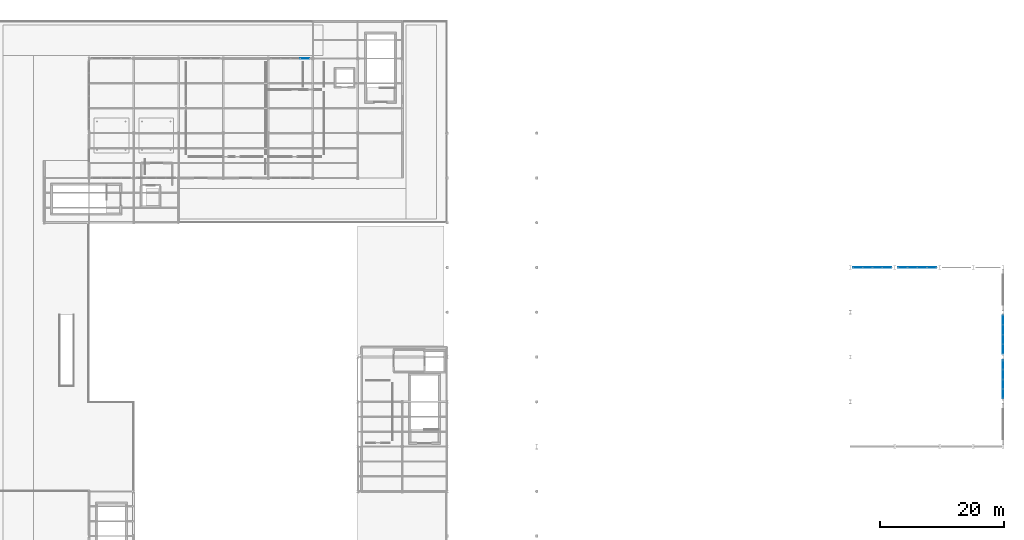
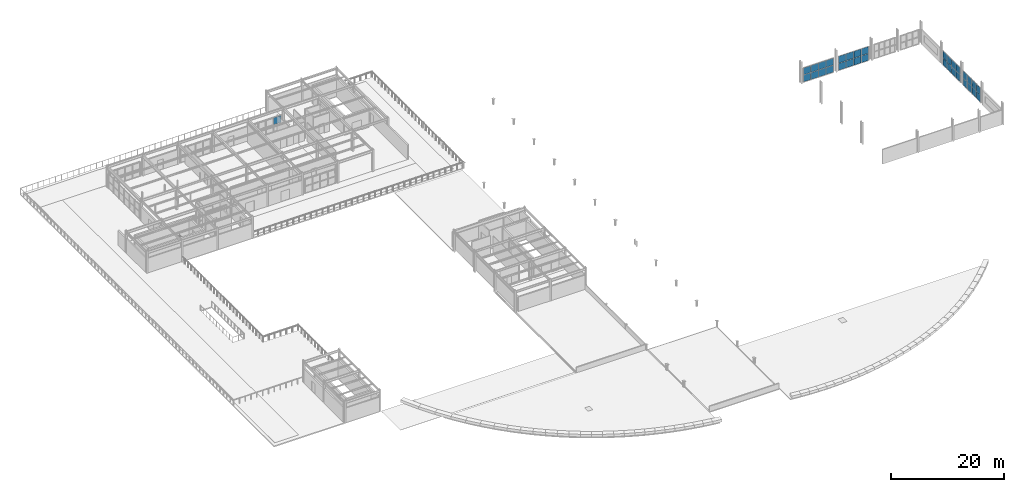
# One storey, part 30 of 41: 33 plates, 5 elements without a shape of their own.
"""IFC4 building model written with IfcOpenShell, lengths in metres."""

from ifc_helpers import new_model, si_unit, direction, frame, origin, origin_2d, place, context, subcontext, project, spatial, rectangle, extrude, material, layer, layer_set, type_object, element, aggregate, save


model = new_model("IFC4")

# Units and contexts
model_context = context("Model", 3, precision=1e-05, world=origin(), true_north=direction((0.0, 1.0)))
body_context = subcontext(model_context, "Body", "Model", "MODEL_VIEW")
ifc_project = project(units=[si_unit("LENGTHUNIT", "METRE"), si_unit("AREAUNIT", "SQUARE_METRE"), si_unit("VOLUMEUNIT", "CUBIC_METRE"), si_unit("PLANEANGLEUNIT", "RADIAN"), si_unit("MASSUNIT", "GRAM", prefix="KILO")], contexts=[model_context])

# Site, building, storey
site_placement = place(None, origin())
site = spatial("IfcSite", under=ifc_project, at=site_placement, CompositionType="ELEMENT")
building_placement = place(site_placement, origin())
building = spatial("IfcBuilding", under=site, at=building_placement, Name="Solvadek Multi-Sports Hall", CompositionType="ELEMENT")
storey_placement = place(building_placement, frame((0.0, 0.0, 14.39990234375)))
storey = spatial("IfcBuildingStorey", under=building, at=storey_placement, Name="L03", CompositionType="ELEMENT", Elevation=14.39990234375)

# Curtain wall, plate
ifc_material_1 = material(Name="Anodised aluminium", Category="aluminium")
ifc_layer_1 = layer(ifc_material_1, 0.159912109375, Name="Anodised aluminium")
ifc_layer_set_1 = layer_set([ifc_layer_1], Name="Anodised aluminium")
curtain_wall_type = type_object("IfcCurtainWallType", Name="ENV-CW-624X315", PredefinedType="USERDEFINED", material=ifc_layer_set_1)
curtain_wall_1_placement = place(storey_placement, origin())
curtain_wall_1 = element("IfcCurtainWall", 1, at=curtain_wall_1_placement, inside=storey, type_object=curtain_wall_type, Name="L03 Perimeter Bay Curtain Wall #208", ObjectType="CURTAIN WALL", PredefinedType="USERDEFINED")
ifc_material_2 = material(Name="Tempered laminated low-E glass", Category="glass")
ifc_layer_2 = layer(ifc_material_2, 0.02392578125, Name="Tempered laminated low-E glass")
ifc_layer_set_2 = layer_set([ifc_layer_2], Name="Tempered laminated low-E glass")
plate_type_1 = type_object("IfcPlateType", Name="ENV-CWP-01", PredefinedType="CURTAIN_PANEL", material=ifc_layer_set_2)
plate_1_placement = place(storey_placement, frame((49.125, 104.39990234375, 1.607666015625), z_axis=(0.0, 0.0, 1.0), x_axis=(1.0, 0.0, 0.0)))
plate_1 = element("IfcPlate", 2, at=plate_1_placement, type_object=plate_type_1, Name="CW-44 panel 4.2", PredefinedType="CURTAIN_PANEL", context=body_context, shape_type="SweptSolid", body=[
    extrude(rectangle(XDim=1.469970703125, YDim=0.02392578125, at=origin_2d()), origin(), (0.0, 0.0, 1.0), 1.4775390625),
])
aggregate(curtain_wall_1, [plate_1])

# Curtain wall, plates
curtain_wall_2_placement = place(storey_placement, origin())
curtain_wall_2 = element("IfcCurtainWall", 3, at=curtain_wall_2_placement, inside=storey, type_object=curtain_wall_type, Name="L03 Perimeter Bay Curtain Wall #132", ObjectType="CURTAIN WALL", PredefinedType="USERDEFINED")
ifc_layer_3 = layer(ifc_material_2, 0.031982421875, Name="Tempered laminated low-E glass")
ifc_layer_set_3 = layer_set([ifc_layer_3], Name="Tempered laminated low-E glass")
plate_type_2 = type_object("IfcPlateType", Name="ENV-CWP-03", PredefinedType="CURTAIN_PANEL", material=ifc_layer_set_3)
plate_2_placement = place(storey_placement, frame((138.076171875, 70.800048828125, 0.065185546875), z_axis=(0.0, 0.0, 1.0), x_axis=(1.0, 0.0, 0.0)))
plate_2 = element("IfcPlate", 4, at=plate_2_placement, type_object=plate_type_2, Name="CW-44 panel 1.1", PredefinedType="CURTAIN_PANEL", context=body_context, shape_type="SweptSolid", body=[
    extrude(rectangle(XDim=1.46240234375, YDim=0.031982421875, at=origin_2d()), origin(), (0.0, 0.0, 1.0), 1.4775390625),
])
plate_3_placement = place(storey_placement, frame((138.076171875, 70.800048828125, 1.607666015625), z_axis=(0.0, 0.0, 1.0), x_axis=(1.0, 0.0, 0.0)))
plate_3 = element("IfcPlate", 5, at=plate_3_placement, type_object=plate_type_2, Name="CW-44 panel 1.2", PredefinedType="CURTAIN_PANEL", context=body_context, shape_type="SweptSolid", body=[
    extrude(rectangle(XDim=1.46240234375, YDim=0.031982421875, at=origin_2d()), origin(), (0.0, 0.0, 1.0), 1.4775390625),
])
plate_4_placement = place(storey_placement, frame((139.6201171875, 70.800048828125, 0.065185546875), z_axis=(0.0, 0.0, 1.0), x_axis=(1.0, 0.0, 0.0)))
plate_4 = element("IfcPlate", 6, at=plate_4_placement, type_object=plate_type_2, Name="CW-44 panel 2.1", PredefinedType="CURTAIN_PANEL", context=body_context, shape_type="SweptSolid", body=[
    extrude(rectangle(XDim=1.4951171875, YDim=0.031982421875, at=origin_2d()), origin(), (0.0, 0.0, 1.0), 1.4775390625),
])
plate_5_placement = place(storey_placement, frame((139.6201171875, 70.800048828125, 1.607666015625), z_axis=(0.0, 0.0, 1.0), x_axis=(1.0, 0.0, 0.0)))
plate_5 = element("IfcPlate", 7, at=plate_5_placement, type_object=plate_type_2, Name="CW-44 panel 2.2", PredefinedType="CURTAIN_PANEL", context=body_context, shape_type="SweptSolid", body=[
    extrude(rectangle(XDim=1.4951171875, YDim=0.031982421875, at=origin_2d()), origin(), (0.0, 0.0, 1.0), 1.4775390625),
])
plate_6_placement = place(storey_placement, frame((141.179931640625, 70.800048828125, 0.065185546875), z_axis=(0.0, 0.0, 1.0), x_axis=(1.0, 0.0, 0.0)))
plate_6 = element("IfcPlate", 8, at=plate_6_placement, type_object=plate_type_2, Name="CW-44 panel 3.1", PredefinedType="CURTAIN_PANEL", context=body_context, shape_type="SweptSolid", body=[
    extrude(rectangle(XDim=1.4951171875, YDim=0.031982421875, at=origin_2d()), origin(), (0.0, 0.0, 1.0), 1.4775390625),
])
plate_7_placement = place(storey_placement, frame((141.179931640625, 70.800048828125, 1.607666015625), z_axis=(0.0, 0.0, 1.0), x_axis=(1.0, 0.0, 0.0)))
plate_7 = element("IfcPlate", 9, at=plate_7_placement, type_object=plate_type_2, Name="CW-44 panel 3.2", PredefinedType="CURTAIN_PANEL", context=body_context, shape_type="SweptSolid", body=[
    extrude(rectangle(XDim=1.4951171875, YDim=0.031982421875, at=origin_2d()), origin(), (0.0, 0.0, 1.0), 1.4775390625),
])
plate_8_placement = place(storey_placement, frame((142.7236328125, 70.800048828125, 0.065185546875), z_axis=(0.0, 0.0, 1.0), x_axis=(1.0, 0.0, 0.0)))
plate_8 = element("IfcPlate", 10, at=plate_8_placement, type_object=plate_type_2, Name="CW-44 panel 4.1", PredefinedType="CURTAIN_PANEL", context=body_context, shape_type="SweptSolid", body=[
    extrude(rectangle(XDim=1.46240234375, YDim=0.031982421875, at=origin_2d()), origin(), (0.0, 0.0, 1.0), 1.4775390625),
])
plate_9_placement = place(storey_placement, frame((142.7236328125, 70.800048828125, 1.607666015625), z_axis=(0.0, 0.0, 1.0), x_axis=(1.0, 0.0, 0.0)))
plate_9 = element("IfcPlate", 11, at=plate_9_placement, type_object=plate_type_2, Name="CW-44 panel 4.2", PredefinedType="CURTAIN_PANEL", context=body_context, shape_type="SweptSolid", body=[
    extrude(rectangle(XDim=1.46240234375, YDim=0.031982421875, at=origin_2d()), origin(), (0.0, 0.0, 1.0), 1.4775390625),
])
aggregate(curtain_wall_2, [plate_2, plate_3, plate_4, plate_5, plate_6, plate_7, plate_8, plate_9])

curtain_wall_3_placement = place(storey_placement, origin())
curtain_wall_3 = element("IfcCurtainWall", 12, at=curtain_wall_3_placement, inside=storey, type_object=curtain_wall_type, Name="L03 Perimeter Bay Curtain Wall #135", ObjectType="CURTAIN WALL", PredefinedType="USERDEFINED")
ifc_layer_4 = layer(ifc_material_2, 0.035888671875, Name="Tempered laminated low-E glass")
ifc_layer_set_4 = layer_set([ifc_layer_4], Name="Tempered laminated low-E glass")
plate_type_3 = type_object("IfcPlateType", Name="ENV-CWP-04", PredefinedType="CURTAIN_PANEL", material=ifc_layer_set_4)
plate_10_placement = place(storey_placement, frame((145.2763671875, 70.800048828125, 0.065185546875), z_axis=(0.0, 0.0, 1.0), x_axis=(1.0, 0.0, 0.0)))
plate_10 = element("IfcPlate", 13, at=plate_10_placement, type_object=plate_type_3, Name="CW-44 panel 1.1", PredefinedType="CURTAIN_PANEL", context=body_context, shape_type="SweptSolid", body=[
    extrude(rectangle(XDim=1.46240234375, YDim=0.035888671875, at=origin_2d()), origin(), (0.0, 0.0, 1.0), 1.4775390625),
])
plate_11_placement = place(storey_placement, frame((145.2763671875, 70.800048828125, 1.607666015625), z_axis=(0.0, 0.0, 1.0), x_axis=(1.0, 0.0, 0.0)))
plate_11 = element("IfcPlate", 14, at=plate_11_placement, type_object=plate_type_3, Name="CW-44 panel 1.2", PredefinedType="CURTAIN_PANEL", context=body_context, shape_type="SweptSolid", body=[
    extrude(rectangle(XDim=1.46240234375, YDim=0.035888671875, at=origin_2d()), origin(), (0.0, 0.0, 1.0), 1.4775390625),
])
plate_12_placement = place(storey_placement, frame((146.820068359375, 70.800048828125, 0.065185546875), z_axis=(0.0, 0.0, 1.0), x_axis=(1.0, 0.0, 0.0)))
plate_12 = element("IfcPlate", 15, at=plate_12_placement, type_object=plate_type_3, Name="CW-44 panel 2.1", PredefinedType="CURTAIN_PANEL", context=body_context, shape_type="SweptSolid", body=[
    extrude(rectangle(XDim=1.4951171875, YDim=0.035888671875, at=origin_2d()), origin(), (0.0, 0.0, 1.0), 1.4775390625),
])
plate_13_placement = place(storey_placement, frame((146.820068359375, 70.800048828125, 1.607666015625), z_axis=(0.0, 0.0, 1.0), x_axis=(1.0, 0.0, 0.0)))
plate_13 = element("IfcPlate", 16, at=plate_13_placement, type_object=plate_type_3, Name="CW-44 panel 2.2", PredefinedType="CURTAIN_PANEL", context=body_context, shape_type="SweptSolid", body=[
    extrude(rectangle(XDim=1.4951171875, YDim=0.035888671875, at=origin_2d()), origin(), (0.0, 0.0, 1.0), 1.4775390625),
])
plate_14_placement = place(storey_placement, frame((148.3798828125, 70.800048828125, 0.065185546875), z_axis=(0.0, 0.0, 1.0), x_axis=(1.0, 0.0, 0.0)))
plate_14 = element("IfcPlate", 17, at=plate_14_placement, type_object=plate_type_3, Name="CW-44 panel 3.1", PredefinedType="CURTAIN_PANEL", context=body_context, shape_type="SweptSolid", body=[
    extrude(rectangle(XDim=1.4951171875, YDim=0.035888671875, at=origin_2d()), origin(), (0.0, 0.0, 1.0), 1.4775390625),
])
plate_15_placement = place(storey_placement, frame((148.3798828125, 70.800048828125, 1.607666015625), z_axis=(0.0, 0.0, 1.0), x_axis=(1.0, 0.0, 0.0)))
plate_15 = element("IfcPlate", 18, at=plate_15_placement, type_object=plate_type_3, Name="CW-44 panel 3.2", PredefinedType="CURTAIN_PANEL", context=body_context, shape_type="SweptSolid", body=[
    extrude(rectangle(XDim=1.4951171875, YDim=0.035888671875, at=origin_2d()), origin(), (0.0, 0.0, 1.0), 1.4775390625),
])
plate_16_placement = place(storey_placement, frame((149.923828125, 70.800048828125, 0.065185546875), z_axis=(0.0, 0.0, 1.0), x_axis=(1.0, 0.0, 0.0)))
plate_16 = element("IfcPlate", 19, at=plate_16_placement, type_object=plate_type_3, Name="CW-44 panel 4.1", PredefinedType="CURTAIN_PANEL", context=body_context, shape_type="SweptSolid", body=[
    extrude(rectangle(XDim=1.46240234375, YDim=0.035888671875, at=origin_2d()), origin(), (0.0, 0.0, 1.0), 1.4775390625),
])
plate_17_placement = place(storey_placement, frame((149.923828125, 70.800048828125, 1.607666015625), z_axis=(0.0, 0.0, 1.0), x_axis=(1.0, 0.0, 0.0)))
plate_17 = element("IfcPlate", 20, at=plate_17_placement, type_object=plate_type_3, Name="CW-44 panel 4.2", PredefinedType="CURTAIN_PANEL", context=body_context, shape_type="SweptSolid", body=[
    extrude(rectangle(XDim=1.46240234375, YDim=0.035888671875, at=origin_2d()), origin(), (0.0, 0.0, 1.0), 1.4775390625),
])
aggregate(curtain_wall_3, [plate_10, plate_11, plate_12, plate_13, plate_14, plate_15, plate_16, plate_17])

curtain_wall_4_placement = place(storey_placement, origin())
curtain_wall_4 = element("IfcCurtainWall", 21, at=curtain_wall_4_placement, inside=storey, type_object=curtain_wall_type, Name="L03 Perimeter Bay Curtain Wall #147", ObjectType="CURTAIN WALL", PredefinedType="USERDEFINED")
ifc_layer_5 = layer(ifc_material_2, 0.0419921875, Name="Tempered laminated low-E glass")
ifc_layer_set_5 = layer_set([ifc_layer_5], Name="Tempered laminated low-E glass")
plate_type_4 = type_object("IfcPlateType", Name="ENV-CWP-05", PredefinedType="CURTAIN_PANEL", material=ifc_layer_set_5)
plate_18_placement = place(storey_placement, frame((161.39990234375, 50.4775390625, 0.06005859375), z_axis=(0.0, 0.0, 1.0), x_axis=(0.0, 1.0, 0.0)))
plate_18 = element("IfcPlate", 22, at=plate_18_placement, type_object=plate_type_4, Name="CW-44 panel 1.1", PredefinedType="CURTAIN_PANEL", context=body_context, shape_type="SweptSolid", body=[
    extrude(rectangle(XDim=1.455078125, YDim=0.0419921875, at=origin_2d()), origin(), (0.0, 0.0, 1.0), 1.485107421875),
])
plate_19_placement = place(storey_placement, frame((161.39990234375, 50.4775390625, 1.60498046875), z_axis=(0.0, 0.0, 1.0), x_axis=(0.0, 1.0, 0.0)))
plate_19 = element("IfcPlate", 23, at=plate_19_placement, type_object=plate_type_4, Name="CW-44 panel 1.2", PredefinedType="CURTAIN_PANEL", context=body_context, shape_type="SweptSolid", body=[
    extrude(rectangle(XDim=1.455078125, YDim=0.0419921875, at=origin_2d()), origin(), (0.0, 0.0, 1.0), 1.485107421875),
])
plate_20_placement = place(storey_placement, frame((161.39990234375, 52.02001953125, 0.06005859375), z_axis=(0.0, 0.0, 1.0), x_axis=(0.0, 1.0, 0.0)))
plate_20 = element("IfcPlate", 24, at=plate_20_placement, type_object=plate_type_4, Name="CW-44 panel 2.1", PredefinedType="CURTAIN_PANEL", context=body_context, shape_type="SweptSolid", body=[
    extrude(rectangle(XDim=1.489990234375, YDim=0.0419921875, at=origin_2d()), origin(), (0.0, 0.0, 1.0), 1.485107421875),
])
plate_21_placement = place(storey_placement, frame((161.39990234375, 52.02001953125, 1.60498046875), z_axis=(0.0, 0.0, 1.0), x_axis=(0.0, 1.0, 0.0)))
plate_21 = element("IfcPlate", 25, at=plate_21_placement, type_object=plate_type_4, Name="CW-44 panel 2.2", PredefinedType="CURTAIN_PANEL", context=body_context, shape_type="SweptSolid", body=[
    extrude(rectangle(XDim=1.489990234375, YDim=0.0419921875, at=origin_2d()), origin(), (0.0, 0.0, 1.0), 1.485107421875),
])
plate_22_placement = place(storey_placement, frame((161.39990234375, 53.580078125, 0.06005859375), z_axis=(0.0, 0.0, 1.0), x_axis=(0.0, 1.0, 0.0)))
plate_22 = element("IfcPlate", 26, at=plate_22_placement, type_object=plate_type_4, Name="CW-44 panel 3.1", PredefinedType="CURTAIN_PANEL", context=body_context, shape_type="SweptSolid", body=[
    extrude(rectangle(XDim=1.489990234375, YDim=0.0419921875, at=origin_2d()), origin(), (0.0, 0.0, 1.0), 1.485107421875),
])
plate_23_placement = place(storey_placement, frame((161.39990234375, 53.580078125, 1.60498046875), z_axis=(0.0, 0.0, 1.0), x_axis=(0.0, 1.0, 0.0)))
plate_23 = element("IfcPlate", 27, at=plate_23_placement, type_object=plate_type_4, Name="CW-44 panel 3.2", PredefinedType="CURTAIN_PANEL", context=body_context, shape_type="SweptSolid", body=[
    extrude(rectangle(XDim=1.489990234375, YDim=0.0419921875, at=origin_2d()), origin(), (0.0, 0.0, 1.0), 1.485107421875),
])
plate_24_placement = place(storey_placement, frame((161.39990234375, 55.12255859375, 0.06005859375), z_axis=(0.0, 0.0, 1.0), x_axis=(0.0, 1.0, 0.0)))
plate_24 = element("IfcPlate", 28, at=plate_24_placement, type_object=plate_type_4, Name="CW-44 panel 4.1", PredefinedType="CURTAIN_PANEL", context=body_context, shape_type="SweptSolid", body=[
    extrude(rectangle(XDim=1.455078125, YDim=0.0419921875, at=origin_2d()), origin(), (0.0, 0.0, 1.0), 1.485107421875),
])
plate_25_placement = place(storey_placement, frame((161.39990234375, 55.12255859375, 1.60498046875), z_axis=(0.0, 0.0, 1.0), x_axis=(0.0, 1.0, 0.0)))
plate_25 = element("IfcPlate", 29, at=plate_25_placement, type_object=plate_type_4, Name="CW-44 panel 4.2", PredefinedType="CURTAIN_PANEL", context=body_context, shape_type="SweptSolid", body=[
    extrude(rectangle(XDim=1.455078125, YDim=0.0419921875, at=origin_2d()), origin(), (0.0, 0.0, 1.0), 1.485107421875),
])
aggregate(curtain_wall_4, [plate_18, plate_19, plate_20, plate_21, plate_22, plate_23, plate_24, plate_25])

curtain_wall_5_placement = place(storey_placement, origin())
curtain_wall_5 = element("IfcCurtainWall", 30, at=curtain_wall_5_placement, inside=storey, type_object=curtain_wall_type, Name="L03 Perimeter Bay Curtain Wall #151", ObjectType="CURTAIN WALL", PredefinedType="USERDEFINED")
ifc_layer_6 = layer(ifc_material_2, 0.048095703125, Name="Tempered laminated low-E glass")
ifc_layer_set_6 = layer_set([ifc_layer_6], Name="Tempered laminated low-E glass")
plate_type_5 = type_object("IfcPlateType", Name="ENV-CWP-06", PredefinedType="CURTAIN_PANEL", material=ifc_layer_set_6)
plate_26_placement = place(storey_placement, frame((161.39990234375, 57.675048828125, 0.06005859375), z_axis=(0.0, 0.0, 1.0), x_axis=(0.0, 1.0, 0.0)))
plate_26 = element("IfcPlate", 31, at=plate_26_placement, type_object=plate_type_5, Name="CW-44 panel 1.1", PredefinedType="CURTAIN_PANEL", context=body_context, shape_type="SweptSolid", body=[
    extrude(rectangle(XDim=1.469970703125, YDim=0.048095703125, at=origin_2d()), origin(), (0.0, 0.0, 1.0), 1.485107421875),
])
plate_27_placement = place(storey_placement, frame((161.39990234375, 57.675048828125, 1.60498046875), z_axis=(0.0, 0.0, 1.0), x_axis=(0.0, 1.0, 0.0)))
plate_27 = element("IfcPlate", 32, at=plate_27_placement, type_object=plate_type_5, Name="CW-44 panel 1.2", PredefinedType="CURTAIN_PANEL", context=body_context, shape_type="SweptSolid", body=[
    extrude(rectangle(XDim=1.469970703125, YDim=0.048095703125, at=origin_2d()), origin(), (0.0, 0.0, 1.0), 1.485107421875),
])
plate_28_placement = place(storey_placement, frame((161.39990234375, 59.219970703125, 0.06005859375), z_axis=(0.0, 0.0, 1.0), x_axis=(0.0, 1.0, 0.0)))
plate_28 = element("IfcPlate", 33, at=plate_28_placement, type_object=plate_type_5, Name="CW-44 panel 2.1", PredefinedType="CURTAIN_PANEL", context=body_context, shape_type="SweptSolid", body=[
    extrude(rectangle(XDim=1.5, YDim=0.048095703125, at=origin_2d()), origin(), (0.0, 0.0, 1.0), 1.485107421875),
])
plate_29_placement = place(storey_placement, frame((161.39990234375, 59.219970703125, 1.60498046875), z_axis=(0.0, 0.0, 1.0), x_axis=(0.0, 1.0, 0.0)))
plate_29 = element("IfcPlate", 34, at=plate_29_placement, type_object=plate_type_5, Name="CW-44 panel 2.2", PredefinedType="CURTAIN_PANEL", context=body_context, shape_type="SweptSolid", body=[
    extrude(rectangle(XDim=1.5, YDim=0.048095703125, at=origin_2d()), origin(), (0.0, 0.0, 1.0), 1.485107421875),
])
plate_30_placement = place(storey_placement, frame((161.39990234375, 60.780029296875, 0.06005859375), z_axis=(0.0, 0.0, 1.0), x_axis=(0.0, 1.0, 0.0)))
plate_30 = element("IfcPlate", 35, at=plate_30_placement, type_object=plate_type_5, Name="CW-44 panel 3.1", PredefinedType="CURTAIN_PANEL", context=body_context, shape_type="SweptSolid", body=[
    extrude(rectangle(XDim=1.5, YDim=0.048095703125, at=origin_2d()), origin(), (0.0, 0.0, 1.0), 1.485107421875),
])
plate_31_placement = place(storey_placement, frame((161.39990234375, 60.780029296875, 1.60498046875), z_axis=(0.0, 0.0, 1.0), x_axis=(0.0, 1.0, 0.0)))
plate_31 = element("IfcPlate", 36, at=plate_31_placement, type_object=plate_type_5, Name="CW-44 panel 3.2", PredefinedType="CURTAIN_PANEL", context=body_context, shape_type="SweptSolid", body=[
    extrude(rectangle(XDim=1.5, YDim=0.048095703125, at=origin_2d()), origin(), (0.0, 0.0, 1.0), 1.485107421875),
])
plate_32_placement = place(storey_placement, frame((161.39990234375, 62.324951171875, 0.06005859375), z_axis=(0.0, 0.0, 1.0), x_axis=(0.0, 1.0, 0.0)))
plate_32 = element("IfcPlate", 37, at=plate_32_placement, type_object=plate_type_5, Name="CW-44 panel 4.1", PredefinedType="CURTAIN_PANEL", context=body_context, shape_type="SweptSolid", body=[
    extrude(rectangle(XDim=1.469970703125, YDim=0.048095703125, at=origin_2d()), origin(), (0.0, 0.0, 1.0), 1.485107421875),
])
plate_33_placement = place(storey_placement, frame((161.39990234375, 62.324951171875, 1.60498046875), z_axis=(0.0, 0.0, 1.0), x_axis=(0.0, 1.0, 0.0)))
plate_33 = element("IfcPlate", 38, at=plate_33_placement, type_object=plate_type_5, Name="CW-44 panel 4.2", PredefinedType="CURTAIN_PANEL", context=body_context, shape_type="SweptSolid", body=[
    extrude(rectangle(XDim=1.469970703125, YDim=0.048095703125, at=origin_2d()), origin(), (0.0, 0.0, 1.0), 1.485107421875),
])
aggregate(curtain_wall_5, [plate_26, plate_27, plate_28, plate_29, plate_30, plate_31, plate_32, plate_33])

save(model, "model.ifc")
